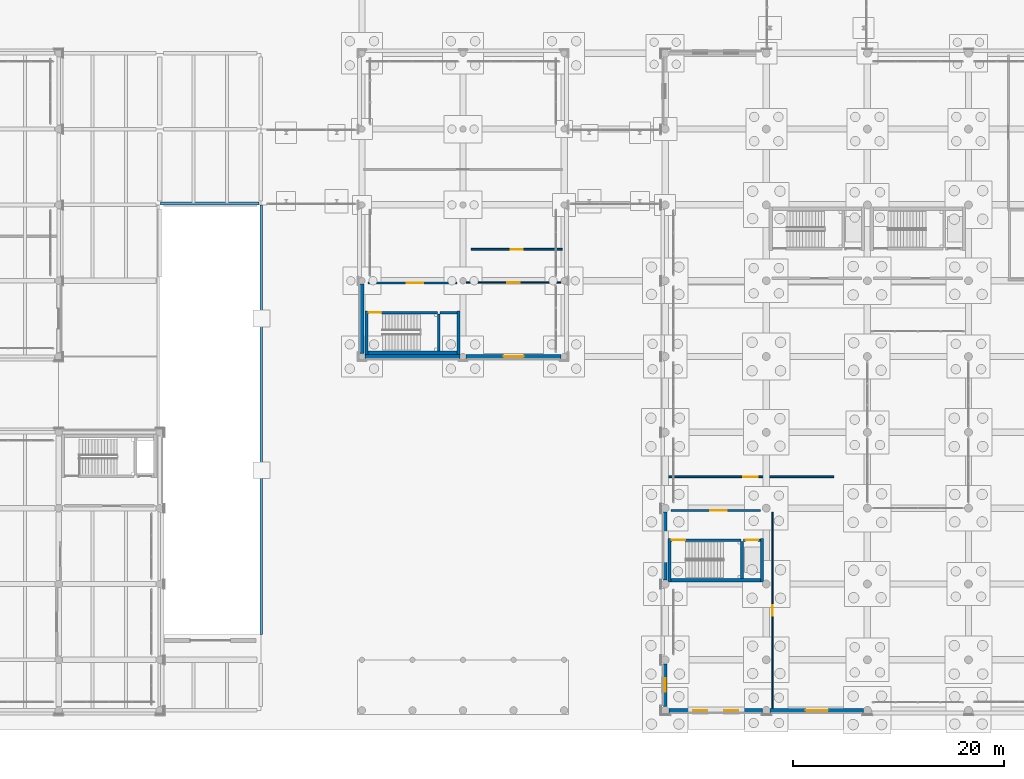
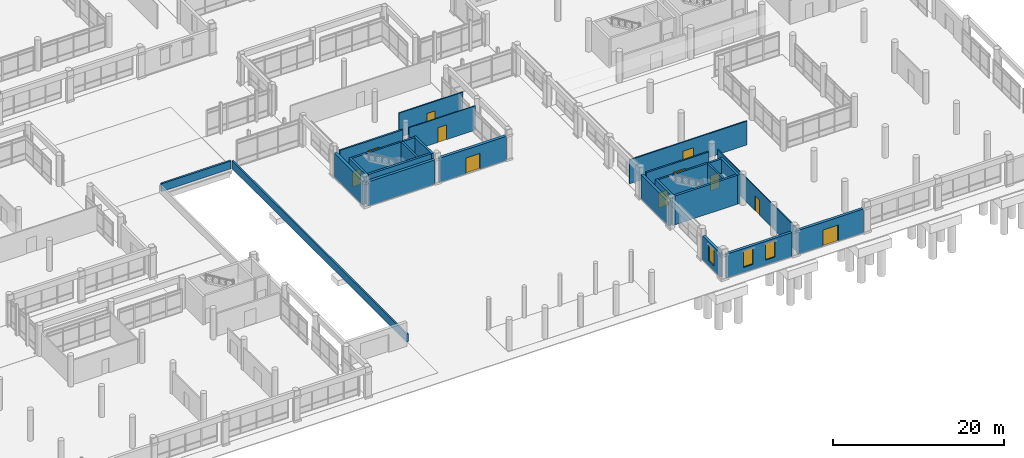
# One storey, part 160 of 196: 27 walls, 11 doors, 3 windows, 14 openings.
"""IFC4 building model written with IfcOpenShell, lengths in metres."""

from ifc_helpers import new_model, si_unit, direction, frame, frame_2d, origin, place, context, subcontext, project, spatial, rectangle, extrude, material, layer, layer_set, type_object, element, fill, save


model = new_model("IFC4")

# Units and contexts
model_context = context("Model", 3, precision=1e-05, world=origin(), true_north=direction((0.0, 1.0)))
body_context = subcontext(model_context, "Body", "Model", "MODEL_VIEW")
ifc_project = project(units=[si_unit("LENGTHUNIT", "METRE"), si_unit("AREAUNIT", "SQUARE_METRE"), si_unit("VOLUMEUNIT", "CUBIC_METRE"), si_unit("PLANEANGLEUNIT", "RADIAN"), si_unit("MASSUNIT", "GRAM", prefix="KILO")], contexts=[model_context])

# Site, building, storey
site_placement = place(None, origin())
site = spatial("IfcSite", under=ifc_project, at=site_placement, CompositionType="ELEMENT")
building_placement = place(site_placement, origin())
building = spatial("IfcBuilding", under=site, at=building_placement, Name="Asteropetra Specialist Clinic", CompositionType="ELEMENT")
storey_placement = place(building_placement, origin())
storey = spatial("IfcBuildingStorey", under=building, at=storey_placement, Name="L00", CompositionType="ELEMENT", Elevation=0.0)

# Walls
ifc_material_1 = material(Name="Piraeus poros limestone", Category="masonry")
ifc_layer_1 = layer(ifc_material_1, 0.219970703125)
ifc_layer_set_1 = layer_set([ifc_layer_1], Name="Piraeus poros limestone")
wall_type_1 = type_object("IfcWallType", Name="EW-PARAPET-220", PredefinedType="PARAPET", material=ifc_layer_set_1)
wall_1_placement = place(storey_placement, frame((67.25, 7.199951171875, 0.0), z_axis=(0.0, 0.0, 1.0), x_axis=(0.0, 1.0, 0.0)))
element("IfcWall", 1, at=wall_1_placement, inside=storey, type_object=wall_type_1, Name="Roof Parapet WP-22", PredefinedType="PARAPET", context=body_context, shape_type="SweptSolid", body=[
    extrude(rectangle(XDim=40.800048828125, YDim=0.219970703125, at=frame_2d((20.39990234375, 0.0))), origin(), (0.0, 0.0, 1.0), 1.1201171875),
])
ifc_material_2 = material(Name="Pentelic marble ashlar", Category="masonry")
ifc_layer_2 = layer(ifc_material_2, 0.25)
ifc_layer_set_2 = layer_set([ifc_layer_2], Name="Pentelic marble ashlar")
wall_type_2 = type_object("IfcWallType", Name="EW-PARAPET-250", PredefinedType="PARAPET", material=ifc_layer_set_2)
wall_2_placement = place(storey_placement, frame((57.679931640625, 48.1298828125, 0.0), z_axis=(0.0, 0.0, 1.0), x_axis=(1.0, 0.0, 0.0)))
element("IfcWall", 2, at=wall_2_placement, inside=storey, type_object=wall_type_2, Name="Roof Parapet WP-21", PredefinedType="PARAPET", context=body_context, shape_type="SweptSolid", body=[
    extrude(rectangle(XDim=9.340087890625, YDim=0.25, at=frame_2d((4.669921875, 0.0))), origin(), (0.0, 0.0, 1.0), 1.1201171875),
])

# Wall, openings, windows
ifc_material_3 = material(Name="Pentelic marble ashlar", Category="masonry")
ifc_layer_3 = layer(ifc_material_3, 0.360107421875)
ifc_layer_set_3 = layer_set([ifc_layer_3], Name="Pentelic marble ashlar")
wall_type_3 = type_object("IfcWallType", Name="EW-PENTELIC-360", PredefinedType="SOLIDWALL", material=ifc_layer_set_3)
wall_3_placement = place(storey_placement, frame((105.97509765625, 0.0, 0.0), z_axis=(0.0, 0.0, 1.0), x_axis=(1.0, 0.0, 0.0)))
wall_3 = element("IfcWall", 3, at=wall_3_placement, inside=storey, type_object=wall_type_3, Name="Exterior Wall EW-0193", PredefinedType="SOLIDWALL", context=body_context, shape_type="SweptSolid", body=[
    extrude(rectangle(XDim=8.849853515625, YDim=0.360107421875, at=frame_2d((4.4248046875, 0.0))), origin(), (0.0, 0.0, 1.0), 3.39990234375),
])
opening_1_placement = place(wall_3_placement, frame((2.300048828125, 0.0, 0.719970703125)))
opening_1 = element("IfcOpeningElement", 4, at=opening_1_placement, cuts=wall_3, Name="Opening W-0152", PredefinedType="OPENING", context=body_context, shape_type="SweptSolid", body=[
    extrude(rectangle(XDim=1.300048828125, YDim=2.320068359375, at=frame_2d((0.64990234375, 1.16015625))), frame((0.0, 0.18994140625, 0.0), z_axis=(0.0, -1.0, 0.0), x_axis=(1.0, 0.0, 0.0)), (0.0, 0.0, 1.0), 0.380126953125),
])
opening_2_placement = place(wall_3_placement, frame((5.25, 0.0, 0.719970703125)))
opening_2 = element("IfcOpeningElement", 5, at=opening_2_placement, cuts=wall_3, Name="Opening W-0153", PredefinedType="OPENING", context=body_context, shape_type="SweptSolid", body=[
    extrude(rectangle(XDim=1.300048828125, YDim=2.320068359375, at=frame_2d((0.64990234375, 1.16015625))), frame((0.0, 0.18994140625, 0.0), z_axis=(0.0, -1.0, 0.0), x_axis=(1.0, 0.0, 0.0)), (0.0, 0.0, 1.0), 0.380126953125),
])
ifc_material_4 = material(Name="Thermally broken bronze aluminium and low-E glass", Category="aluminium")
window_type = type_object("IfcWindowType", Name="WIN-T20", PartitioningType="DOUBLE_PANEL_VERTICAL", PredefinedType="WINDOW", material=ifc_material_4)
window_1_placement = place(opening_1_placement, origin())
window_1 = element("IfcWindow", 6, at=window_1_placement, inside=storey, type_object=window_type, Name="Window W-0152", OverallHeight=2.320068359375, OverallWidth=1.300048828125, PartitioningType="SINGLE_PANEL", PredefinedType="WINDOW", context=body_context, shape_type="SweptSolid", body=[
    extrude(rectangle(XDim=1.300048828125, YDim=2.320068359375, at=frame_2d((0.64990234375, 1.16015625))), frame((0.0, 0.030029296875, 0.0), z_axis=(0.0, -1.0, 0.0), x_axis=(1.0, 0.0, 0.0)), (0.0, 0.0, 1.0), 0.06005859375),
])
fill(opening_1, window_1)
window_2_placement = place(opening_2_placement, origin())
window_2 = element("IfcWindow", 7, at=window_2_placement, inside=storey, type_object=window_type, Name="Window W-0153", OverallHeight=2.320068359375, OverallWidth=1.300048828125, PartitioningType="SINGLE_PANEL", PredefinedType="WINDOW", context=body_context, shape_type="SweptSolid", body=[
    extrude(rectangle(XDim=1.300048828125, YDim=2.320068359375, at=frame_2d((0.64990234375, 1.16015625))), frame((0.0, 0.030029296875, 0.0), z_axis=(0.0, -1.0, 0.0), x_axis=(1.0, 0.0, 0.0)), (0.0, 0.0, 1.0), 0.06005859375),
])
fill(opening_2, window_2)

# Wall, opening, door
wall_4_placement = place(storey_placement, frame((115.574951171875, 0.0, 0.0), z_axis=(0.0, 0.0, 1.0), x_axis=(1.0, 0.0, 0.0)))
wall_4 = element("IfcWall", 8, at=wall_4_placement, inside=storey, type_object=wall_type_3, Name="Exterior Wall EW-0195", PredefinedType="SOLIDWALL", context=body_context, shape_type="SweptSolid", body=[
    extrude(rectangle(XDim=8.85009765625, YDim=0.360107421875, at=frame_2d((4.425048828125, 0.0))), origin(), (0.0, 0.0, 1.0), 3.39990234375),
])
opening_3_placement = place(wall_4_placement, frame((3.375, 0.0, 0.0)))
opening_3 = element("IfcOpeningElement", 9, at=opening_3_placement, cuts=wall_4, Name="Opening ED-016", PredefinedType="OPENING", context=body_context, shape_type="SweptSolid", body=[
    extrude(rectangle(XDim=2.10009765625, YDim=2.300048828125, at=frame_2d((1.050048828125, 1.14990234375))), frame((0.0, 0.18994140625, 0.0), z_axis=(0.0, -1.0, 0.0), x_axis=(1.0, 0.0, 0.0)), (0.0, 0.0, 1.0), 0.380126953125),
])
ifc_material_5 = material(Name="Bronze aluminium and safety glass", Category="aluminium")
door_type_1 = type_object("IfcDoorType", Name="EDR-EXIT-2100", OperationType="DOUBLE_DOOR_SINGLE_SWING", PredefinedType="DOOR", material=ifc_material_5)
door_1_placement = place(opening_3_placement, origin())
door_1 = element("IfcDoor", 10, at=door_1_placement, inside=storey, type_object=door_type_1, Name="Exterior Door ED-016", OperationType="DOUBLE_DOOR_SINGLE_SWING", OverallHeight=2.300048828125, OverallWidth=2.10009765625, PredefinedType="DOOR", context=body_context, shape_type="SweptSolid", body=[
    extrude(rectangle(XDim=2.10009765625, YDim=2.300048828125, at=frame_2d((1.050048828125, 1.14990234375))), frame((0.0, 0.02490234375, 0.0), z_axis=(0.0, -1.0, 0.0), x_axis=(1.0, 0.0, 0.0)), (0.0, 0.0, 1.0), 0.050048828125),
])
fill(opening_3, door_1)

# Wall, opening, window
wall_5_placement = place(storey_placement, frame((105.60009765625, 4.425048828125, 0.0), z_axis=(0.0, 0.0, 1.0), x_axis=(0.0, -1.0, 0.0)))
wall_5 = element("IfcWall", 11, at=wall_5_placement, inside=storey, type_object=wall_type_3, Name="Exterior Wall EW-0198", PredefinedType="SOLIDWALL", context=body_context, shape_type="SweptSolid", body=[
    extrude(rectangle(XDim=4.050048828125, YDim=0.360107421875, at=frame_2d((2.02490234375, 0.0))), origin(), (0.0, 0.0, 1.0), 3.39990234375),
])
opening_4_placement = place(wall_5_placement, frame((1.375, 0.0, 0.719970703125)))
opening_4 = element("IfcOpeningElement", 12, at=opening_4_placement, cuts=wall_5, Name="Opening W-0160", PredefinedType="OPENING", context=body_context, shape_type="SweptSolid", body=[
    extrude(rectangle(XDim=1.300048828125, YDim=2.320068359375, at=frame_2d((0.64990234375, 1.16015625))), frame((0.0, 0.18994140625, 0.0), z_axis=(0.0, -1.0, 0.0), x_axis=(1.0, 0.0, 0.0)), (0.0, 0.0, 1.0), 0.380126953125),
])
window_3_placement = place(opening_4_placement, origin())
window_3 = element("IfcWindow", 13, at=window_3_placement, inside=storey, type_object=window_type, Name="Window W-0160", OverallHeight=2.320068359375, OverallWidth=1.300048828125, PartitioningType="SINGLE_PANEL", PredefinedType="WINDOW", context=body_context, shape_type="SweptSolid", body=[
    extrude(rectangle(XDim=1.300048828125, YDim=2.320068359375, at=frame_2d((0.64990234375, 1.16015625))), frame((0.0, 0.030029296875, 0.0), z_axis=(0.0, -1.0, 0.0), x_axis=(1.0, 0.0, 0.0)), (0.0, 0.0, 1.0), 0.06005859375),
])
fill(opening_4, window_3)

# Walls
wall_6_placement = place(storey_placement, frame((105.60009765625, 18.824951171875, 0.0), z_axis=(0.0, 0.0, 1.0), x_axis=(0.0, -1.0, 0.0)))
element("IfcWall", 14, at=wall_6_placement, inside=storey, type_object=wall_type_3, Name="Exterior Wall EW-0200", PredefinedType="SOLIDWALL", context=body_context, shape_type="SweptSolid", body=[
    extrude(rectangle(XDim=6.449951171875, YDim=0.360107421875, at=frame_2d((3.22509765625, 0.0))), origin(), (0.0, 0.0, 1.0), 3.39990234375),
])
ifc_material_6 = material(Name="Pentelic marble ashlar", Category="masonry")
ifc_layer_4 = layer(ifc_material_6, 0.3798828125)
ifc_layer_set_4 = layer_set([ifc_layer_4], Name="Pentelic marble ashlar")
wall_type_4 = type_object("IfcWallType", Name="EW-PENTELIC-380", PredefinedType="SOLIDWALL", material=ifc_layer_set_4)
wall_7_placement = place(storey_placement, frame((77.10009765625, 33.60009765625, 0.0), z_axis=(0.0, 0.0, 1.0), x_axis=(1.0, 0.0, 0.0)))
element("IfcWall", 15, at=wall_7_placement, inside=storey, type_object=wall_type_4, Name="Exterior Wall EW-0041", PredefinedType="SOLIDWALL", context=body_context, shape_type="SweptSolid", body=[
    extrude(rectangle(XDim=9.0, YDim=0.3798828125, at=frame_2d((4.5, 0.0))), origin(), (0.0, 0.0, 1.0), 3.43994140625),
])

# Wall, opening, door
wall_8_placement = place(storey_placement, frame((86.699951171875, 33.60009765625, 0.0), z_axis=(0.0, 0.0, 1.0), x_axis=(1.0, 0.0, 0.0)))
wall_8 = element("IfcWall", 16, at=wall_8_placement, inside=storey, type_object=wall_type_4, Name="Exterior Wall EW-0042", PredefinedType="SOLIDWALL", context=body_context, shape_type="SweptSolid", body=[
    extrude(rectangle(XDim=9.0, YDim=0.3798828125, at=frame_2d((4.5, 0.0))), origin(), (0.0, 0.0, 1.0), 3.43994140625),
])
opening_5_placement = place(wall_8_placement, frame((3.550048828125, 0.0, 0.0)))
opening_5 = element("IfcOpeningElement", 17, at=opening_5_placement, cuts=wall_8, Name="Opening ED-007", PredefinedType="OPENING", context=body_context, shape_type="SweptSolid", body=[
    extrude(rectangle(XDim=1.89990234375, YDim=2.25, at=frame_2d((0.949951171875, 1.125))), frame((0.0, 0.199951171875, 0.0), z_axis=(0.0, -1.0, 0.0), x_axis=(1.0, 0.0, 0.0)), (0.0, 0.0, 1.0), 0.39990234375),
])
ifc_material_7 = material(Name="Bronze aluminium and safety glass", Category="aluminium")
door_type_2 = type_object("IfcDoorType", Name="EDR-EXIT-1900", OperationType="DOUBLE_DOOR_SINGLE_SWING", PredefinedType="DOOR", material=ifc_material_7)
door_2_placement = place(opening_5_placement, origin())
door_2 = element("IfcDoor", 18, at=door_2_placement, inside=storey, type_object=door_type_2, Name="Exterior Door ED-007", OperationType="DOUBLE_DOOR_SINGLE_SWING", OverallHeight=2.25, OverallWidth=1.89990234375, PredefinedType="DOOR", context=body_context, shape_type="SweptSolid", body=[
    extrude(rectangle(XDim=1.89990234375, YDim=2.25, at=frame_2d((0.949951171875, 1.125))), frame((0.0, 0.02490234375, 0.0), z_axis=(0.0, -1.0, 0.0), x_axis=(1.0, 0.0, 0.0)), (0.0, 0.0, 1.0), 0.050048828125),
])
fill(opening_5, door_2)

# Wall
wall_9_placement = place(storey_placement, frame((76.800048828125, 40.5, 0.0), z_axis=(0.0, 0.0, 1.0), x_axis=(0.0, -1.0, 0.0)))
element("IfcWall", 19, at=wall_9_placement, inside=storey, type_object=wall_type_4, Name="Exterior Wall EW-0043", PredefinedType="SOLIDWALL", context=body_context, shape_type="SweptSolid", body=[
    extrude(rectangle(XDim=6.60009765625, YDim=0.3798828125, at=frame_2d((3.300048828125, 0.0))), origin(), (0.0, 0.0, 1.0), 3.43994140625),
])

# Wall, opening, door
ifc_material_8 = material(Name="Fire-rated masonry and gypsum", Category="masonry")
ifc_layer_5 = layer(ifc_material_8, 0.219970703125)
ifc_layer_set_5 = layer_set([ifc_layer_5], Name="Fire-rated masonry and gypsum")
wall_type_5 = type_object("IfcWallType", Name="W-COMP-220", PredefinedType="PARTITIONING", material=ifc_layer_set_5)
wall_10_placement = place(storey_placement, frame((106.159912109375, 18.97998046875, 0.0), z_axis=(0.0, 0.0, 1.0), x_axis=(1.0, 0.0, 0.0)))
wall_10 = element("IfcWall", 20, at=wall_10_placement, inside=storey, type_object=wall_type_5, Name="Core Wall CW-C8-L00-LOB", PredefinedType="PARTITIONING", context=body_context, shape_type="SweptSolid", body=[
    extrude(rectangle(XDim=8.47998046875, YDim=0.219970703125, at=frame_2d((4.239990234375, 0.0))), origin(), (0.0, 0.0, 1.0), 3.39990234375),
])
opening_6_placement = place(wall_10_placement, frame((3.699951171875, 0.0, 0.0)))
opening_6 = element("IfcOpeningElement", 21, at=opening_6_placement, cuts=wall_10, Name="Opening FD-066", PredefinedType="OPENING", context=body_context, shape_type="SweptSolid", body=[
    extrude(rectangle(XDim=1.60009765625, YDim=2.199951171875, at=frame_2d((0.800048828125, 1.10009765625))), frame((0.0, 0.119873046875, 0.0), z_axis=(0.0, -1.0, 0.0), x_axis=(1.0, 0.0, 0.0)), (0.0, 0.0, 1.0), 0.239990234375),
])
ifc_material_9 = material(Name="Fire-rated steel and vision glass door", Category="steel")
door_type_3 = type_object("IfcDoorType", Name="FD-LOBBY-1600", OperationType="DOUBLE_DOOR_SINGLE_SWING", PredefinedType="DOOR", material=ifc_material_9)
door_3_placement = place(opening_6_placement, origin())
door_3 = element("IfcDoor", 22, at=door_3_placement, inside=storey, type_object=door_type_3, Name="Lobby Fire Door FD-066", OperationType="DOUBLE_DOOR_SINGLE_SWING", OverallHeight=2.199951171875, OverallWidth=1.60009765625, PredefinedType="DOOR", context=body_context, shape_type="SweptSolid", body=[
    extrude(rectangle(XDim=1.60009765625, YDim=2.199951171875, at=frame_2d((0.800048828125, 1.10009765625))), frame((0.0, 0.02490234375, 0.0), z_axis=(0.0, -1.0, 0.0), x_axis=(1.0, 0.0, 0.0)), (0.0, 0.0, 1.0), 0.050048828125),
])
fill(opening_6, door_3)

wall_11_placement = place(storey_placement, frame((77.360107421875, 40.580078125, 0.0), z_axis=(0.0, 0.0, 1.0), x_axis=(1.0, 0.0, 0.0)))
wall_11 = element("IfcWall", 23, at=wall_11_placement, inside=storey, type_object=wall_type_5, Name="Core Wall CW-C13-L00-LOB", PredefinedType="PARTITIONING", context=body_context, shape_type="SweptSolid", body=[
    extrude(rectangle(XDim=8.47998046875, YDim=0.219970703125, at=frame_2d((4.239990234375, 0.0))), origin(), (0.0, 0.0, 1.0), 3.5400390625),
])
opening_7_placement = place(wall_11_placement, frame((3.699951171875, 0.0, 0.0)))
opening_7 = element("IfcOpeningElement", 24, at=opening_7_placement, cuts=wall_11, Name="Opening FD-104", PredefinedType="OPENING", context=body_context, shape_type="SweptSolid", body=[
    extrude(rectangle(XDim=1.550048828125, YDim=2.199951171875, at=frame_2d((0.77490234375, 1.10009765625))), frame((0.0, 0.119873046875, 0.0), z_axis=(0.0, -1.0, 0.0), x_axis=(1.0, 0.0, 0.0)), (0.0, 0.0, 1.0), 0.239990234375),
])
ifc_material_10 = material(Name="Fire-rated steel and vision glass door", Category="steel")
door_type_4 = type_object("IfcDoorType", Name="FD-LOBBY-1550", OperationType="DOUBLE_DOOR_SINGLE_SWING", PredefinedType="DOOR", material=ifc_material_10)
door_4_placement = place(opening_7_placement, origin())
door_4 = element("IfcDoor", 25, at=door_4_placement, inside=storey, type_object=door_type_4, Name="Lobby Fire Door FD-104", OperationType="DOUBLE_DOOR_SINGLE_SWING", OverallHeight=2.199951171875, OverallWidth=1.550048828125, PredefinedType="DOOR", context=body_context, shape_type="SweptSolid", body=[
    extrude(rectangle(XDim=1.550048828125, YDim=2.199951171875, at=frame_2d((0.77490234375, 1.10009765625))), frame((0.0, 0.02490234375, 0.0), z_axis=(0.0, -1.0, 0.0), x_axis=(1.0, 0.0, 0.0)), (0.0, 0.0, 1.0), 0.050048828125),
])
fill(opening_7, door_4)

# Walls
ifc_material_11 = material(Name="Concrete C35/45", Category="concrete")
ifc_layer_6 = layer(ifc_material_11, 0.300048828125)
ifc_layer_set_6 = layer_set([ifc_layer_6], Name="Concrete C35/45")
wall_type_6 = type_object("IfcWallType", Name="W-CORE-300", PredefinedType="SHEAR", material=ifc_layer_set_6)
for number, where, z_axis, x_axis, name in (
    (26, (106.02001953125, 12.2099609375, 0.0), (0.0, 0.0, 1.0), (0.0, 1.0, 0.0), "Core Wall CW-C8-L00-W"),
    (27, (114.780029296875, 12.2099609375, 0.0), (0.0, 0.0, 1.0), (0.0, 1.0, 0.0), "Core Wall CW-C8-L00-E"),
):
    element("IfcWall", number, at=place(storey_placement, frame(where, z_axis=z_axis, x_axis=x_axis)), inside=storey, type_object=wall_type_6, Name=name, PredefinedType="SHEAR", context=body_context, shape_type="SweptSolid", body=[
        extrude(rectangle(XDim=4.10009765625, YDim=0.300048828125, at=frame_2d((2.050048828125, 0.0))), origin(), (0.0, 0.0, 1.0), 4.1201171875),
    ])
wall_12_placement = place(storey_placement, frame((106.1650390625, 12.360107421875, 0.0), z_axis=(0.0, 0.0, 1.0), x_axis=(1.0, 0.0, 0.0)))
element("IfcWall", 28, at=wall_12_placement, inside=storey, type_object=wall_type_6, Name="Core Wall CW-C8-L00-BACK", PredefinedType="SHEAR", context=body_context, shape_type="SweptSolid", body=[
    extrude(rectangle(XDim=8.469970703125, YDim=0.300048828125, at=frame_2d((4.23486328125, 0.0))), origin(), (0.0, 0.0, 1.0), 4.1201171875),
])
for number, where, z_axis, x_axis, name in (
    (29, (77.219970703125, 33.81005859375, 0.0), (0.0, 0.0, 1.0), (0.0, 1.0, 0.0), "Core Wall CW-C13-L00-W"),
    (30, (85.97998046875, 33.81005859375, 0.0), (0.0, 0.0, 1.0), (0.0, 1.0, 0.0), "Core Wall CW-C13-L00-E"),
):
    element("IfcWall", number, at=place(storey_placement, frame(where, z_axis=z_axis, x_axis=x_axis)), inside=storey, type_object=wall_type_6, Name=name, PredefinedType="SHEAR", context=body_context, shape_type="SweptSolid", body=[
        extrude(rectangle(XDim=4.099853515625, YDim=0.300048828125, at=frame_2d((2.0498046875, 0.0))), origin(), (0.0, 0.0, 1.0), 4.159912109375),
    ])
wall_13_placement = place(storey_placement, frame((77.364990234375, 33.9599609375, 0.0), z_axis=(0.0, 0.0, 1.0), x_axis=(1.0, 0.0, 0.0)))
element("IfcWall", 31, at=wall_13_placement, inside=storey, type_object=wall_type_6, Name="Core Wall CW-C13-L00-BACK", PredefinedType="SHEAR", context=body_context, shape_type="SweptSolid", body=[
    extrude(rectangle(XDim=8.469970703125, YDim=0.300048828125, at=frame_2d((4.23486328125, 0.0))), origin(), (0.0, 0.0, 1.0), 4.159912109375),
])

# Wall, opening, door
ifc_material_12 = material(Name="Light partition", Category="masonry")
ifc_layer_7 = layer(ifc_material_12, 0.1201171875)
ifc_layer_set_7 = layer_set([ifc_layer_7], Name="Light partition")
wall_type_7 = type_object("IfcWallType", Name="W-PART-120", PredefinedType="PARTITIONING", material=ifc_layer_set_7)
wall_14_placement = place(storey_placement, frame((86.705078125, 40.6201171875, 0.0), z_axis=(0.0, 0.0, 1.0), x_axis=(1.0, 0.0, 0.0)))
wall_14 = element("IfcWall", 32, at=wall_14_placement, inside=storey, type_object=wall_type_7, Name="Interior Partition PW-0054", PredefinedType="PARTITIONING", context=body_context, shape_type="SweptSolid", body=[
    extrude(rectangle(XDim=8.989990234375, YDim=0.1201171875, at=frame_2d((4.4951171875, 0.0))), origin(), (0.0, 0.0, 1.0), 3.4599609375),
])
opening_8_placement = place(wall_14_placement, frame((3.919921875, 0.0, 0.0)))
opening_8 = element("IfcOpeningElement", 33, at=opening_8_placement, cuts=wall_14, Name="Opening ID-0028", PredefinedType="OPENING", context=body_context, shape_type="SweptSolid", body=[
    extrude(rectangle(XDim=1.14990234375, YDim=2.10009765625, at=frame_2d((0.574951171875, 1.050048828125))), frame((0.0, 0.070068359375, 0.0), z_axis=(0.0, -1.0, 0.0), x_axis=(1.0, 0.0, 0.0)), (0.0, 0.0, 1.0), 0.14013671875),
])
ifc_material_13 = material(Name="Antimicrobial laminate timber leaf in steel frame", Category="steel")
door_type_5 = type_object("IfcDoorType", Name="ID-CONS-1150", OperationType="SINGLE_SWING_LEFT", PredefinedType="DOOR", material=ifc_material_13)
door_5_placement = place(opening_8_placement, origin())
door_5 = element("IfcDoor", 34, at=door_5_placement, inside=storey, type_object=door_type_5, Name="Interior Door ID-0028", OperationType="SINGLE_SWING_LEFT", OverallHeight=2.10009765625, OverallWidth=1.14990234375, PredefinedType="DOOR", context=body_context, shape_type="SweptSolid", body=[
    extrude(rectangle(XDim=1.14990234375, YDim=2.10009765625, at=frame_2d((0.574951171875, 1.050048828125))), frame((0.0, 0.02490234375, 0.0), z_axis=(0.0, -1.0, 0.0), x_axis=(1.0, 0.0, 0.0)), (0.0, 0.0, 1.0), 0.050048828125),
])
fill(opening_8, door_5)

wall_15_placement = place(storey_placement, frame((115.780029296875, 0.181884765625, 0.0), z_axis=(0.0, 0.0, 1.0), x_axis=(0.0, 1.0, 0.0)))
wall_15 = element("IfcWall", 35, at=wall_15_placement, inside=storey, type_object=wall_type_7, Name="Interior Partition PW-0069", PredefinedType="PARTITIONING", context=body_context, shape_type="SweptSolid", body=[
    extrude(rectangle(XDim=18.63818359375, YDim=0.1201171875, at=frame_2d((9.319091796875, 0.0))), origin(), (0.0, 0.0, 1.0), 3.39990234375),
])
opening_9_placement = place(wall_15_placement, frame((8.819091796875, 0.0, 0.0)))
opening_9 = element("IfcOpeningElement", 36, at=opening_9_placement, cuts=wall_15, Name="Opening ID-0043", PredefinedType="OPENING", context=body_context, shape_type="SweptSolid", body=[
    extrude(rectangle(XDim=1.0, YDim=2.10009765625, at=frame_2d((0.5, 1.050048828125))), frame((0.0, 0.070068359375, 0.0), z_axis=(0.0, -1.0, 0.0), x_axis=(1.0, 0.0, 0.0)), (0.0, 0.0, 1.0), 0.14013671875),
])
ifc_material_14 = material(Name="Antimicrobial laminate timber leaf in steel frame", Category="steel")
door_type_6 = type_object("IfcDoorType", Name="ID-CONS-1000", OperationType="SINGLE_SWING_RIGHT", PredefinedType="DOOR", material=ifc_material_14)
door_6_placement = place(opening_9_placement, origin())
door_6 = element("IfcDoor", 37, at=door_6_placement, inside=storey, type_object=door_type_6, Name="Interior Door ID-0043", OperationType="SINGLE_SWING_RIGHT", OverallHeight=2.10009765625, OverallWidth=1.0, PredefinedType="DOOR", context=body_context, shape_type="SweptSolid", body=[
    extrude(rectangle(XDim=1.0, YDim=2.10009765625, at=frame_2d((0.5, 1.050048828125))), frame((0.0, 0.02490234375, 0.0), z_axis=(0.0, -1.0, 0.0), x_axis=(1.0, 0.0, 0.0)), (0.0, 0.0, 1.0), 0.050048828125),
])
fill(opening_9, door_6)

ifc_material_15 = material(Name="Acoustic clinical stud partition", Category="masonry")
ifc_layer_8 = layer(ifc_material_15, 0.159912109375)
ifc_layer_set_8 = layer_set([ifc_layer_8], Name="Acoustic clinical stud partition")
wall_type_8 = type_object("IfcWallType", Name="W-PART-160", PredefinedType="PARTITIONING", material=ifc_layer_set_8)
wall_16_placement = place(storey_placement, frame((87.179931640625, 43.780029296875, 0.0), z_axis=(0.0, 0.0, 1.0), x_axis=(1.0, 0.0, 0.0)))
wall_16 = element("IfcWall", 38, at=wall_16_placement, inside=storey, type_object=wall_type_8, Name="Interior Partition PW-0055", PredefinedType="PARTITIONING", context=body_context, shape_type="SweptSolid", body=[
    extrude(rectangle(XDim=8.64013671875, YDim=0.159912109375, at=frame_2d((4.320068359375, 0.0))), origin(), (0.0, 0.0, 1.0), 3.4599609375),
])
opening_10_placement = place(wall_16_placement, frame((3.77001953125, 0.0, 0.0)))
opening_10 = element("IfcOpeningElement", 39, at=opening_10_placement, cuts=wall_16, Name="Opening ID-0029", PredefinedType="OPENING", context=body_context, shape_type="SweptSolid", body=[
    extrude(rectangle(XDim=1.10009765625, YDim=2.10009765625, at=frame_2d((0.550048828125, 1.050048828125))), frame((0.0, 0.08984375, 0.0), z_axis=(0.0, -1.0, 0.0), x_axis=(1.0, 0.0, 0.0)), (0.0, 0.0, 1.0), 0.179931640625),
])
ifc_material_16 = material(Name="Antimicrobial laminate timber leaf in steel frame", Category="steel")
door_type_7 = type_object("IfcDoorType", Name="ID-CONS-1100", OperationType="SINGLE_SWING_RIGHT", PredefinedType="DOOR", material=ifc_material_16)
door_7_placement = place(opening_10_placement, origin())
door_7 = element("IfcDoor", 40, at=door_7_placement, inside=storey, type_object=door_type_7, Name="Interior Door ID-0029", OperationType="SINGLE_SWING_RIGHT", OverallHeight=2.10009765625, OverallWidth=1.10009765625, PredefinedType="DOOR", context=body_context, shape_type="SweptSolid", body=[
    extrude(rectangle(XDim=1.10009765625, YDim=2.10009765625, at=frame_2d((0.550048828125, 1.050048828125))), frame((0.0, 0.02490234375, 0.0), z_axis=(0.0, -1.0, 0.0), x_axis=(1.0, 0.0, 0.0)), (0.0, 0.0, 1.0), 0.050048828125),
])
fill(opening_10, door_7)

wall_17_placement = place(storey_placement, frame((105.780029296875, 22.179931640625, 0.0), z_axis=(0.0, 0.0, 1.0), x_axis=(1.0, 0.0, 0.0)))
wall_17 = element("IfcWall", 41, at=wall_17_placement, inside=storey, type_object=wall_type_8, Name="Interior Partition PW-0070", PredefinedType="PARTITIONING", context=body_context, shape_type="SweptSolid", body=[
    extrude(rectangle(XDim=15.840087890625, YDim=0.159912109375, at=frame_2d((7.919921875, 0.0))), origin(), (0.0, 0.0, 1.0), 3.39990234375),
])
opening_11_placement = place(wall_17_placement, frame((7.219970703125, 0.0, 0.0)))
opening_11 = element("IfcOpeningElement", 42, at=opening_11_placement, cuts=wall_17, Name="Opening ID-0044", PredefinedType="OPENING", context=body_context, shape_type="SweptSolid", body=[
    extrude(rectangle(XDim=1.39990234375, YDim=2.1201171875, at=frame_2d((0.699951171875, 1.06005859375))), frame((0.0, 0.08984375, 0.0), z_axis=(0.0, -1.0, 0.0), x_axis=(1.0, 0.0, 0.0)), (0.0, 0.0, 1.0), 0.179931640625),
])
ifc_material_17 = material(Name="Antimicrobial laminate timber leaf in steel frame", Category="steel")
door_type_8 = type_object("IfcDoorType", Name="ID-WARD-1400", OperationType="NOTDEFINED", PredefinedType="DOOR", material=ifc_material_17)
door_8_placement = place(opening_11_placement, origin())
door_8 = element("IfcDoor", 43, at=door_8_placement, inside=storey, type_object=door_type_8, Name="Interior Door ID-0044", OperationType="SINGLE_SWING_LEFT", OverallHeight=2.1201171875, OverallWidth=1.39990234375, PredefinedType="DOOR", context=body_context, shape_type="SweptSolid", body=[
    extrude(rectangle(XDim=1.39990234375, YDim=2.1201171875, at=frame_2d((0.699951171875, 1.06005859375))), frame((0.0, 0.02490234375, 0.0), z_axis=(0.0, -1.0, 0.0), x_axis=(1.0, 0.0, 0.0)), (0.0, 0.0, 1.0), 0.050048828125),
])
fill(opening_11, door_8)

# Wall
ifc_material_18 = material(Name="Concrete C35/45", Category="concrete")
ifc_layer_9 = layer(ifc_material_18, 0.25)
ifc_layer_set_9 = layer_set([ifc_layer_9], Name="Concrete C35/45")
wall_type_9 = type_object("IfcWallType", Name="W-SHAFT-250", PredefinedType="SHEAR", material=ifc_layer_set_9)
wall_18_placement = place(storey_placement, frame((112.89990234375, 12.510009765625, 0.0), z_axis=(0.0, 0.0, 1.0), x_axis=(0.0, 1.0, 0.0)))
element("IfcWall", 44, at=wall_18_placement, inside=storey, type_object=wall_type_9, Name="Core Wall CW-C8-L00-MID", PredefinedType="SHEAR", context=body_context, shape_type="SweptSolid", body=[
    extrude(rectangle(XDim=3.530029296875, YDim=0.25, at=frame_2d((1.76513671875, 0.0))), origin(), (0.0, 0.0, 1.0), 4.1201171875),
])

# Wall, opening, door
wall_19_placement = place(storey_placement, frame((106.1650390625, 16.159912109375, 0.0), z_axis=(0.0, 0.0, 1.0), x_axis=(1.0, 0.0, 0.0)))
wall_19 = element("IfcWall", 45, at=wall_19_placement, inside=storey, type_object=wall_type_9, Name="Core Wall CW-C8-L00-STDIV", PredefinedType="SHEAR", context=body_context, shape_type="SweptSolid", body=[
    extrude(rectangle(XDim=6.614990234375, YDim=0.25, at=frame_2d((3.3076171875, 0.0))), origin(), (0.0, 0.0, 1.0), 4.1201171875),
])
opening_12_placement = place(wall_19_placement, frame((0.080078125, 0.0, 0.0)))
opening_12 = element("IfcOpeningElement", 46, at=opening_12_placement, cuts=wall_19, Name="Opening FD-065", PredefinedType="OPENING", context=body_context, shape_type="SweptSolid", body=[
    extrude(rectangle(XDim=1.239990234375, YDim=2.14990234375, at=frame_2d((0.6201171875, 1.074951171875))), frame((0.0, 0.135009765625, 0.0), z_axis=(0.0, -1.0, 0.0), x_axis=(1.0, 0.0, 0.0)), (0.0, 0.0, 1.0), 0.27001953125),
])
ifc_material_19 = material(Name="Fire-rated steel and vision glass door", Category="steel")
door_type_9 = type_object("IfcDoorType", Name="FD-STAIR-1400", OperationType="DOUBLE_DOOR_SINGLE_SWING", PredefinedType="DOOR", material=ifc_material_19)
door_9_placement = place(opening_12_placement, origin())
door_9 = element("IfcDoor", 47, at=door_9_placement, inside=storey, type_object=door_type_9, Name="Stair Fire Door FD-065", OperationType="DOUBLE_DOOR_SINGLE_SWING", OverallHeight=2.14990234375, OverallWidth=1.239990234375, PredefinedType="DOOR", context=body_context, shape_type="SweptSolid", body=[
    extrude(rectangle(XDim=1.239990234375, YDim=2.14990234375, at=frame_2d((0.6201171875, 1.074951171875))), frame((0.0, 0.02490234375, 0.0), z_axis=(0.0, -1.0, 0.0), x_axis=(1.0, 0.0, 0.0)), (0.0, 0.0, 1.0), 0.050048828125),
])
fill(opening_12, door_9)

wall_20_placement = place(storey_placement, frame((113.02001953125, 16.159912109375, 0.0), z_axis=(0.0, 0.0, 1.0), x_axis=(1.0, 0.0, 0.0)))
wall_20 = element("IfcWall", 48, at=wall_20_placement, inside=storey, type_object=wall_type_9, Name="Lift Shaft Front Wall CW-C8-L00-LFTF", PredefinedType="SHEAR", context=body_context, shape_type="SweptSolid", body=[
    extrude(rectangle(XDim=1.614990234375, YDim=0.25, at=frame_2d((0.8076171875, 0.0))), origin(), (0.0, 0.0, 1.0), 4.1201171875),
])
opening_13_placement = place(wall_20_placement, frame((0.20751953125, 0.0, 0.0)))
opening_13 = element("IfcOpeningElement", 49, at=opening_13_placement, cuts=wall_20, Name="Opening LD-033", PredefinedType="OPENING", context=body_context, shape_type="SweptSolid", body=[
    extrude(rectangle(XDim=1.199951171875, YDim=2.14990234375, at=frame_2d((0.60009765625, 1.074951171875))), frame((0.0, 0.135009765625, 0.0), z_axis=(0.0, -1.0, 0.0), x_axis=(1.0, 0.0, 0.0)), (0.0, 0.0, 1.0), 0.27001953125),
])
ifc_material_20 = material(Name="Brushed stainless steel sliding lift landing door", Category="steel")
door_type_10 = type_object("IfcDoorType", Name="LD-FF-1200", OperationType="DOUBLE_DOOR_SLIDING", PredefinedType="DOOR", material=ifc_material_20)
door_10_placement = place(opening_13_placement, origin())
door_10 = element("IfcDoor", 50, at=door_10_placement, inside=storey, type_object=door_type_10, Name="Lift Landing Door LD-033", OperationType="DOUBLE_DOOR_SLIDING", OverallHeight=2.14990234375, OverallWidth=1.199951171875, PredefinedType="DOOR", context=body_context, shape_type="SweptSolid", body=[
    extrude(rectangle(XDim=1.199951171875, YDim=2.14990234375, at=frame_2d((0.60009765625, 1.074951171875))), frame((0.0, 0.02490234375, 0.0), z_axis=(0.0, -1.0, 0.0), x_axis=(1.0, 0.0, 0.0)), (0.0, 0.0, 1.0), 0.050048828125),
])
fill(opening_13, door_10)

# Wall
wall_21_placement = place(storey_placement, frame((84.10009765625, 34.110107421875, 0.0), z_axis=(0.0, 0.0, 1.0), x_axis=(0.0, 1.0, 0.0)))
element("IfcWall", 51, at=wall_21_placement, inside=storey, type_object=wall_type_9, Name="Core Wall CW-C13-L00-MID", PredefinedType="SHEAR", context=body_context, shape_type="SweptSolid", body=[
    extrude(rectangle(XDim=3.52978515625, YDim=0.25, at=frame_2d((1.764892578125, 0.0))), origin(), (0.0, 0.0, 1.0), 4.159912109375),
])

# Wall, opening, door
wall_22_placement = place(storey_placement, frame((77.364990234375, 37.760009765625, 0.0), z_axis=(0.0, 0.0, 1.0), x_axis=(1.0, 0.0, 0.0)))
wall_22 = element("IfcWall", 52, at=wall_22_placement, inside=storey, type_object=wall_type_9, Name="Core Wall CW-C13-L00-STDIV", PredefinedType="SHEAR", context=body_context, shape_type="SweptSolid", body=[
    extrude(rectangle(XDim=6.614990234375, YDim=0.25, at=frame_2d((3.3076171875, 0.0))), origin(), (0.0, 0.0, 1.0), 4.159912109375),
])
opening_14_placement = place(wall_22_placement, frame((0.080078125, 0.0, 0.0)))
opening_14 = element("IfcOpeningElement", 53, at=opening_14_placement, cuts=wall_22, Name="Opening FD-103", PredefinedType="OPENING", context=body_context, shape_type="SweptSolid", body=[
    extrude(rectangle(XDim=1.199951171875, YDim=2.14990234375, at=frame_2d((0.60009765625, 1.074951171875))), frame((0.0, 0.135009765625, 0.0), z_axis=(0.0, -1.0, 0.0), x_axis=(1.0, 0.0, 0.0)), (0.0, 0.0, 1.0), 0.27001953125),
])
ifc_material_21 = material(Name="Fire-rated steel and vision glass door", Category="steel")
door_type_11 = type_object("IfcDoorType", Name="FD-STAIR-1350", OperationType="DOUBLE_DOOR_SINGLE_SWING", PredefinedType="DOOR", material=ifc_material_21)
door_11_placement = place(opening_14_placement, origin())
door_11 = element("IfcDoor", 54, at=door_11_placement, inside=storey, type_object=door_type_11, Name="Stair Fire Door FD-103", OperationType="DOUBLE_DOOR_SINGLE_SWING", OverallHeight=2.14990234375, OverallWidth=1.199951171875, PredefinedType="DOOR", context=body_context, shape_type="SweptSolid", body=[
    extrude(rectangle(XDim=1.199951171875, YDim=2.14990234375, at=frame_2d((0.60009765625, 1.074951171875))), frame((0.0, 0.02490234375, 0.0), z_axis=(0.0, -1.0, 0.0), x_axis=(1.0, 0.0, 0.0)), (0.0, 0.0, 1.0), 0.050048828125),
])
fill(opening_14, door_11)

# Wall
wall_23_placement = place(storey_placement, frame((84.219970703125, 37.760009765625, 0.0), z_axis=(0.0, 0.0, 1.0), x_axis=(1.0, 0.0, 0.0)))
element("IfcWall", 55, at=wall_23_placement, inside=storey, type_object=wall_type_9, Name="Lift Shaft Front Wall CW-C13-L00-LFTF", PredefinedType="SHEAR", context=body_context, shape_type="SweptSolid", body=[
    extrude(rectangle(XDim=1.614990234375, YDim=0.25, at=frame_2d((0.8076171875, 0.0))), origin(), (0.0, 0.0, 1.0), 4.159912109375),
])

save(model, "model.ifc")
